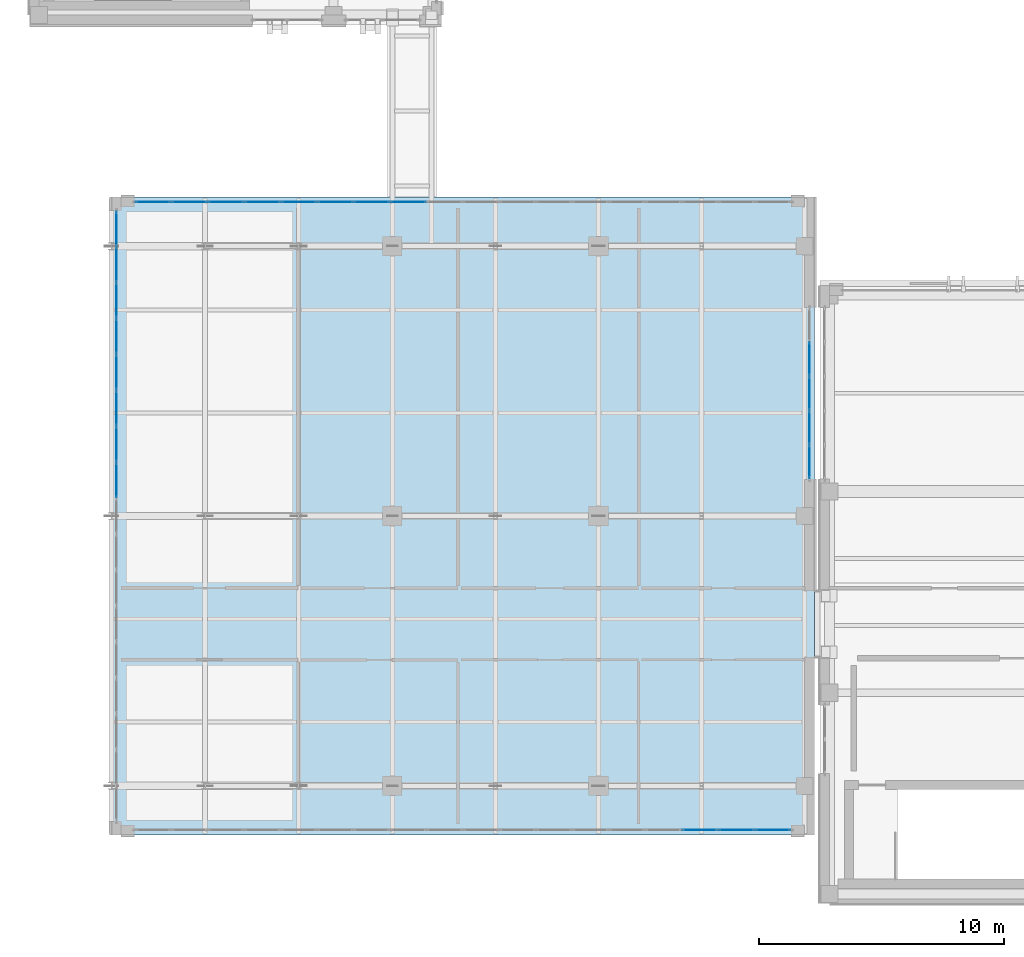
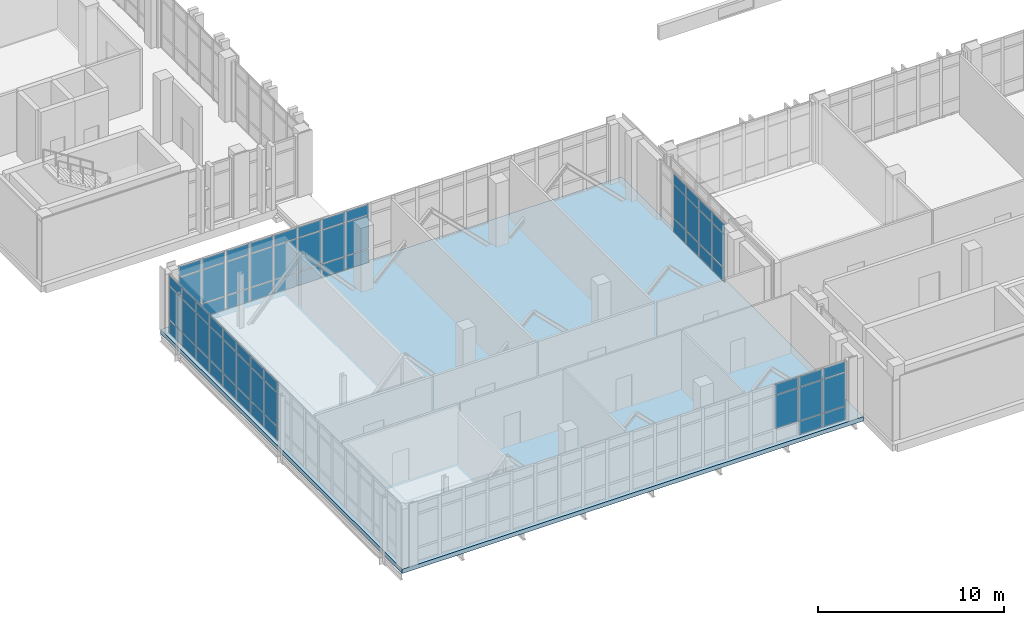
# One storey, part 111 of 158: 68 plates, 1 slab, 4 elements without a shape of their own.
"""IFC4 building model written with IfcOpenShell, lengths in metres."""

import ifcopenshell
import ifcopenshell.guid

model = None  # the IFC model being written
_history = None  # IfcOwnerHistory: only IFC2X3 demands one
_inside = {}  # id of a spatial element -> (the spatial element, [elements in it])
_under = {}  # id of a project, library or spatial element -> (it, [spatial elements below it])
_declared = {}  # id of a project -> (the project, [libraries it declares])
_typed = {}  # id of a type object -> (the type object, [elements of that type])
_made_of = {}  # id of a material, layer set ... -> (it, [elements and type objects made of it])


def new_model(schema):
    """Start an empty IFC model of exactly this schema.

    Asked for "IFC4X3", IfcOpenShell would pick the latest addendum, in which some entities
    have other attributes; the version numbers below select the first issue.
    IFC2X3 requires an IfcOwnerHistory on every rooted entity: one is made here for all.
    """
    global model, _history
    if schema == "IFC4X3":
        model = ifcopenshell.file(schema_version=(4, 3, 0, 0))
    else:
        model = ifcopenshell.file(schema=schema)
    _inside.clear()
    _under.clear()
    _declared.clear()
    _typed.clear()
    _made_of.clear()
    _history = None
    if model.schema == "IFC2X3":
        org = make("IfcOrganization", Name="unknown")
        user = make(
            "IfcPersonAndOrganization",
            ThePerson=make("IfcPerson", FamilyName="unknown"),
            TheOrganization=org,
        )
        app = make(
            "IfcApplication",
            ApplicationDeveloper=org,
            Version="unknown",
            ApplicationFullName="unknown",
            ApplicationIdentifier="unknown",
        )
        _history = make(
            "IfcOwnerHistory",
            OwningUser=user,
            OwningApplication=app,
            ChangeAction="ADDED",
            CreationDate=0,
        )
    return model


def make(cls, **values):
    """One entity of the class cls with the attributes given. An attribute that is None is left unset."""
    return model.create_entity(
        cls, **{name: value for name, value in values.items() if value is not None}
    )


def rooted(cls, **values):
    """An entity with a GlobalId (a new one), such as an element, a storey or a relation."""
    return make(cls, GlobalId=ifcopenshell.guid.new(), OwnerHistory=_history, **values)


def si_unit(unit_type, name, prefix=None):
    """IfcSIUnit, for example si_unit("LENGTHUNIT", "METRE", prefix="MILLI")."""
    return make("IfcSIUnit", UnitType=unit_type, Prefix=prefix, Name=name)


def assignment(units):
    """IfcUnitAssignment: the units of a project."""
    return None if units is None else make("IfcUnitAssignment", Units=units)


def point(xyz):
    """IfcCartesianPoint."""
    return None if xyz is None else make("IfcCartesianPoint", Coordinates=xyz)


def direction(xyz):
    """IfcDirection."""
    return None if xyz is None else make("IfcDirection", DirectionRatios=xyz)


def frame(location, z_axis=None, x_axis=None):
    """IfcAxis2Placement3D, a coordinate frame: its origin and axes. An axis left out is left unset."""
    return make(
        "IfcAxis2Placement3D",
        Location=point(location),
        Axis=direction(z_axis),
        RefDirection=direction(x_axis),
    )


def frame_2d(location, x_axis=None):
    """IfcAxis2Placement2D, a coordinate frame in the plane: its origin and x axis."""
    return make(
        "IfcAxis2Placement2D", Location=point(location), RefDirection=direction(x_axis)
    )


def origin():
    """The frame at (0, 0, 0) with its axes left unset."""
    return frame((0.0, 0.0, 0.0))


def origin_2d():
    """The frame at (0, 0) in the plane with its x axis left unset."""
    return frame_2d((0.0, 0.0))


def place(relative_to, where):
    """IfcLocalPlacement: puts the frame where relative to a parent placement (None: the world)."""
    return make(
        "IfcLocalPlacement", PlacementRelTo=relative_to, RelativePlacement=where
    )


def context(
    kind, dimensions, precision=None, world=None, true_north=None, identifier=None
):
    """IfcGeometricRepresentationContext, for example the 3D "Model" context."""
    return make(
        "IfcGeometricRepresentationContext",
        ContextIdentifier=identifier,
        ContextType=kind,
        CoordinateSpaceDimension=dimensions,
        Precision=precision,
        WorldCoordinateSystem=world,
        TrueNorth=true_north,
    )


def subcontext(parent, identifier, kind, view, scale=None):
    """IfcGeometricRepresentationSubContext, for example "Body" below "Model"."""
    return make(
        "IfcGeometricRepresentationSubContext",
        ContextIdentifier=identifier,
        ContextType=kind,
        ParentContext=parent,
        TargetScale=scale,
        TargetView=view,
    )


def project(units=None, contexts=None):
    """IfcProject with its units and contexts."""
    return rooted(
        "IfcProject",
        Name="project",
        RepresentationContexts=contexts,
        UnitsInContext=assignment(units),
    )


def spatial(cls, under=None, at=None, **own):
    """A site, building, storey or space (cls), placed at a placement, below another one or the project."""
    s = rooted(cls, ObjectPlacement=at, **own)
    if under is not None:
        _under.setdefault(under.id(), (under, []))[1].append(s)
    return s


def polyline(points):
    """IfcPolyline through the points."""
    return make("IfcPolyline", Points=[point(p) for p in points])


def profile(cls, at=None, kind="AREA", **sizes):
    """A parametric profile (cls). Its sizes go by their IFC names, for example OverallWidth=200.0."""
    return make(cls, ProfileType=kind, Position=at, **sizes)


def rectangle(**sizes):
    """IfcRectangleProfileDef."""
    return profile("IfcRectangleProfileDef", **sizes)


def outline(outer, holes=None, kind="AREA"):
    """IfcArbitraryClosedProfileDef: a profile drawn as a closed curve; with holes, ...WithVoids."""
    if holes is None:
        return make("IfcArbitraryClosedProfileDef", ProfileType=kind, OuterCurve=outer)
    return make(
        "IfcArbitraryProfileDefWithVoids",
        ProfileType=kind,
        OuterCurve=outer,
        InnerCurves=holes,
    )


def extrude(swept, where, along, depth):
    """IfcExtrudedAreaSolid: the profile swept, set in the frame where, extruded along a direction by depth."""
    return make(
        "IfcExtrudedAreaSolid",
        SweptArea=swept,
        Position=where,
        ExtrudedDirection=direction(along),
        Depth=depth,
    )


def shape(context_of_items, identifier, shape_type, items):
    """IfcShapeRepresentation: the items that make up one representation, for example the "Body"."""
    return make(
        "IfcShapeRepresentation",
        ContextOfItems=context_of_items,
        RepresentationIdentifier=identifier,
        RepresentationType=shape_type,
        Items=items,
    )


def material(Name=None, Category=None):
    """IfcMaterial."""
    return make("IfcMaterial", Name=Name, Category=Category)


def layer(
    of_material, thickness, ventilated=None, Name=None, Category=None, Priority=None
):
    """IfcMaterialLayer: one layer of a wall or slab, of a material (None: an air gap)."""
    return make(
        "IfcMaterialLayer",
        Material=of_material,
        LayerThickness=thickness,
        IsVentilated=ventilated,
        Name=Name,
        Category=Category,
        Priority=Priority,
    )


def layer_set(layers, Name=None):
    """IfcMaterialLayerSet."""
    return make("IfcMaterialLayerSet", MaterialLayers=layers, LayerSetName=Name)


def made_of(thing, what):
    """Note that an element or type object is made of a material, layer set ...; save() writes the relation."""
    if what is not None:
        _made_of.setdefault(what.id(), (what, []))[1].append(thing)
    return thing


def type_object(cls, material=None, **own):
    """A type object (cls), such as IfcWallType, which elements share."""
    return made_of(rooted(cls, **own), material)


def element(
    cls,
    number,
    at=None,
    inside=None,
    cuts=None,
    type_object=None,
    material=None,
    context=None,
    identifier="Body",
    shape_type=None,
    held_by="IfcProductDefinitionShape",
    body=None,
    shapes=None,
    **own,
):
    """One element of the class cls, such as IfcWall. Its Tag is "e" and its number.

    at: its placement. inside: the storey or other place that contains it. cuts: it is an
    opening in that element (IfcRelVoidsElement). A single representation is given by context,
    identifier, shape_type and body (its items); several are given by shapes. held_by: the class
    of the entity that holds the representations. save() writes the other relations.
    """
    e = rooted(cls, Tag="e%d" % number, ObjectPlacement=at, **own)
    if body is not None:
        shapes = [shape(context, identifier, shape_type, body)]
    if shapes is not None:
        e.Representation = make(held_by, Representations=shapes)
    if inside is not None:
        _inside.setdefault(inside.id(), (inside, []))[1].append(e)
    if cuts is not None:
        rooted(
            "IfcRelVoidsElement", RelatingBuildingElement=cuts, RelatedOpeningElement=e
        )
    if type_object is not None:
        _typed.setdefault(type_object.id(), (type_object, []))[1].append(e)
    return made_of(e, material)


def aggregate(whole, parts):
    """IfcRelAggregates: a whole, such as a stair, and the parts it consists of."""
    return rooted("IfcRelAggregates", RelatingObject=whole, RelatedObjects=parts)


def save(model, path):
    """Write the relations noted so far, then the file.

    IfcRelAggregates (storeys below a building ...), IfcRelContainedInSpatialStructure (elements
    in a storey), IfcRelDefinesByType, IfcRelAssociatesMaterial and IfcRelDeclares: one each for
    every whole, place, type object, material and project.
    """
    for whole, parts in _under.values():
        aggregate(whole, parts)
    for where, things in _inside.values():
        rooted(
            "IfcRelContainedInSpatialStructure",
            RelatedElements=things,
            RelatingStructure=where,
        )
    for kind, things in _typed.values():
        rooted("IfcRelDefinesByType", RelatedObjects=things, RelatingType=kind)
    for what, things in _made_of.values():
        rooted("IfcRelAssociatesMaterial", RelatedObjects=things, RelatingMaterial=what)
    for by, libraries in _declared.values():
        rooted("IfcRelDeclares", RelatingContext=by, RelatedDefinitions=libraries)
    model.write(path)


model = new_model("IFC4")

# Units and contexts
model_context = context("Model", 3, precision=1e-05, world=origin(), true_north=direction((0.0, 1.0)))
body_context = subcontext(model_context, "Body", "Model", "MODEL_VIEW")
ifc_project = project(units=[si_unit("LENGTHUNIT", "METRE"), si_unit("AREAUNIT", "SQUARE_METRE"), si_unit("VOLUMEUNIT", "CUBIC_METRE"), si_unit("PLANEANGLEUNIT", "RADIAN"), si_unit("MASSUNIT", "GRAM", prefix="KILO")], contexts=[model_context])

# Site, building, storey
site_placement = place(None, origin())
site = spatial("IfcSite", under=ifc_project, at=site_placement, CompositionType="ELEMENT")
building_placement = place(site_placement, origin())
building = spatial("IfcBuilding", under=site, at=building_placement, Name="Qalavern Law Courts", CompositionType="ELEMENT")
storey_placement = place(building_placement, frame((0.0, 0.0, 18.60009765625)))
storey = spatial("IfcBuildingStorey", under=building, at=storey_placement, Name="L04", CompositionType="ELEMENT", Elevation=18.60009765625)

# Curtain wall, plates
ifc_material_1 = material(Name="Anodised aluminium and insulated glazing", Category="aluminium")
ifc_layer_1 = layer(ifc_material_1, 0.199951171875)
ifc_layer_set_1 = layer_set([ifc_layer_1], Name="Anodised aluminium and insulated glazing")
curtain_wall_type = type_object("IfcCurtainWallType", Name="ENV-CW-FOYER", PredefinedType="USERDEFINED", material=ifc_layer_set_1)
curtain_wall_1_placement = place(storey_placement, origin())
curtain_wall_1 = element("IfcCurtainWall", 1, at=curtain_wall_1_placement, inside=storey, type_object=curtain_wall_type, Name="V1 unitised curtain wall L04 south 1", ObjectType="UNITISED CURTAIN WALL", PredefinedType="USERDEFINED")
ifc_material_2 = material(Name="Insulated low-E acoustic glazing", Category="glass")
ifc_layer_2 = layer(ifc_material_2, 0.02392578125)
ifc_layer_set_2 = layer_set([ifc_layer_2], Name="Insulated low-E acoustic glazing")
plate_type_1 = type_object("IfcPlateType", Name="ENV-CWP-24", PredefinedType="CURTAIN_PANEL", material=ifc_layer_set_2)
plate_1_placement = place(storey_placement, frame((29.33837890625, 8.199951171875, 0.97412109375), z_axis=(0.0, 0.0, 1.0), x_axis=(1.0, 0.0, 0.0)))
plate_1 = element("IfcPlate", 2, at=plate_1_placement, type_object=plate_type_1, Name="CW-01 panel 16.2", PredefinedType="CURTAIN_PANEL", context=body_context, shape_type="SweptSolid", body=[
    extrude(rectangle(XDim=1.438720703125, YDim=0.02392578125, at=origin_2d()), origin(), (0.0, 0.0, 1.0), 2.177001953125),
])
plate_2_placement = place(storey_placement, frame((29.33837890625, 8.199951171875, 3.19873046875), z_axis=(0.0, 0.0, 1.0), x_axis=(1.0, 0.0, 0.0)))
plate_2 = element("IfcPlate", 3, at=plate_2_placement, type_object=plate_type_1, Name="CW-01 panel 16.3", PredefinedType="CURTAIN_PANEL", context=body_context, shape_type="SweptSolid", body=[
    extrude(rectangle(XDim=1.438720703125, YDim=0.02392578125, at=origin_2d()), origin(), (0.0, 0.0, 1.0), 0.677978515625),
])
plate_3_placement = place(storey_placement, frame((30.824951171875, 8.199951171875, 0.0478515625), z_axis=(0.0, 0.0, 1.0), x_axis=(1.0, 0.0, 0.0)))
plate_3 = element("IfcPlate", 4, at=plate_3_placement, type_object=plate_type_1, Name="CW-01 panel 17.1", PredefinedType="CURTAIN_PANEL", context=body_context, shape_type="SweptSolid", body=[
    extrude(rectangle(XDim=1.438720703125, YDim=0.02392578125, at=origin_2d()), origin(), (0.0, 0.0, 1.0), 0.8779296875),
])
plate_4_placement = place(storey_placement, frame((30.824951171875, 8.199951171875, 0.97412109375), z_axis=(0.0, 0.0, 1.0), x_axis=(1.0, 0.0, 0.0)))
plate_4 = element("IfcPlate", 5, at=plate_4_placement, type_object=plate_type_1, Name="CW-01 panel 17.2", PredefinedType="CURTAIN_PANEL", context=body_context, shape_type="SweptSolid", body=[
    extrude(rectangle(XDim=1.438720703125, YDim=0.02392578125, at=origin_2d()), origin(), (0.0, 0.0, 1.0), 2.177001953125),
])
plate_5_placement = place(storey_placement, frame((30.824951171875, 8.199951171875, 3.19873046875), z_axis=(0.0, 0.0, 1.0), x_axis=(1.0, 0.0, 0.0)))
plate_5 = element("IfcPlate", 6, at=plate_5_placement, type_object=plate_type_1, Name="CW-01 panel 17.3", PredefinedType="CURTAIN_PANEL", context=body_context, shape_type="SweptSolid", body=[
    extrude(rectangle(XDim=1.438720703125, YDim=0.02392578125, at=origin_2d()), origin(), (0.0, 0.0, 1.0), 0.677978515625),
])
plate_6_placement = place(storey_placement, frame((32.299560546875, 8.199951171875, 0.0478515625), z_axis=(0.0, 0.0, 1.0), x_axis=(1.0, 0.0, 0.0)))
plate_6 = element("IfcPlate", 7, at=plate_6_placement, type_object=plate_type_1, Name="CW-01 panel 18.1", PredefinedType="CURTAIN_PANEL", context=body_context, shape_type="SweptSolid", body=[
    extrude(rectangle(XDim=1.41455078125, YDim=0.02392578125, at=origin_2d()), origin(), (0.0, 0.0, 1.0), 0.8779296875),
])
plate_7_placement = place(storey_placement, frame((32.299560546875, 8.199951171875, 0.97412109375), z_axis=(0.0, 0.0, 1.0), x_axis=(1.0, 0.0, 0.0)))
plate_7 = element("IfcPlate", 8, at=plate_7_placement, type_object=plate_type_1, Name="CW-01 panel 18.2", PredefinedType="CURTAIN_PANEL", context=body_context, shape_type="SweptSolid", body=[
    extrude(rectangle(XDim=1.41455078125, YDim=0.02392578125, at=origin_2d()), origin(), (0.0, 0.0, 1.0), 2.177001953125),
])
plate_8_placement = place(storey_placement, frame((32.299560546875, 8.199951171875, 3.19873046875), z_axis=(0.0, 0.0, 1.0), x_axis=(1.0, 0.0, 0.0)))
plate_8 = element("IfcPlate", 9, at=plate_8_placement, type_object=plate_type_1, Name="CW-01 panel 18.3", PredefinedType="CURTAIN_PANEL", context=body_context, shape_type="SweptSolid", body=[
    extrude(rectangle(XDim=1.41455078125, YDim=0.02392578125, at=origin_2d()), origin(), (0.0, 0.0, 1.0), 0.677978515625),
])
aggregate(curtain_wall_1, [plate_1, plate_2, plate_3, plate_4, plate_5, plate_6, plate_7, plate_8])

curtain_wall_2_placement = place(storey_placement, origin())
curtain_wall_2 = element("IfcCurtainWall", 10, at=curtain_wall_2_placement, inside=storey, type_object=curtain_wall_type, Name="V1 unitised curtain wall L04 north 1", ObjectType="UNITISED CURTAIN WALL", PredefinedType="USERDEFINED")
plate_9_placement = place(storey_placement, frame((17.445068359375, 33.800048828125, 0.0478515625), z_axis=(0.0, 0.0, 1.0), x_axis=(-1.0, 0.0, 0.0)))
plate_9 = element("IfcPlate", 11, at=plate_9_placement, type_object=plate_type_1, Name="CW-01 panel 11.1", PredefinedType="CURTAIN_PANEL", context=body_context, shape_type="SweptSolid", body=[
    extrude(rectangle(XDim=1.438720703125, YDim=0.02392578125, at=origin_2d()), origin(), (0.0, 0.0, 1.0), 0.8779296875),
])
plate_10_placement = place(storey_placement, frame((17.445068359375, 33.800048828125, 0.97412109375), z_axis=(0.0, 0.0, 1.0), x_axis=(-1.0, 0.0, 0.0)))
plate_10 = element("IfcPlate", 12, at=plate_10_placement, type_object=plate_type_1, Name="CW-01 panel 11.2", PredefinedType="CURTAIN_PANEL", context=body_context, shape_type="SweptSolid", body=[
    extrude(rectangle(XDim=1.438720703125, YDim=0.02392578125, at=origin_2d()), origin(), (0.0, 0.0, 1.0), 2.177001953125),
])
plate_11_placement = place(storey_placement, frame((17.445068359375, 33.800048828125, 3.19873046875), z_axis=(0.0, 0.0, 1.0), x_axis=(-1.0, 0.0, 0.0)))
plate_11 = element("IfcPlate", 13, at=plate_11_placement, type_object=plate_type_1, Name="CW-01 panel 11.3", PredefinedType="CURTAIN_PANEL", context=body_context, shape_type="SweptSolid", body=[
    extrude(rectangle(XDim=1.438720703125, YDim=0.02392578125, at=origin_2d()), origin(), (0.0, 0.0, 1.0), 0.677978515625),
])
plate_12_placement = place(storey_placement, frame((15.958251953125, 33.800048828125, 0.0478515625), z_axis=(0.0, 0.0, 1.0), x_axis=(-1.0, 0.0, 0.0)))
plate_12 = element("IfcPlate", 14, at=plate_12_placement, type_object=plate_type_1, Name="CW-01 panel 12.1", PredefinedType="CURTAIN_PANEL", context=body_context, shape_type="SweptSolid", body=[
    extrude(rectangle(XDim=1.438720703125, YDim=0.02392578125, at=origin_2d()), origin(), (0.0, 0.0, 1.0), 0.8779296875),
])
plate_13_placement = place(storey_placement, frame((15.958251953125, 33.800048828125, 0.97412109375), z_axis=(0.0, 0.0, 1.0), x_axis=(-1.0, 0.0, 0.0)))
plate_13 = element("IfcPlate", 15, at=plate_13_placement, type_object=plate_type_1, Name="CW-01 panel 12.2", PredefinedType="CURTAIN_PANEL", context=body_context, shape_type="SweptSolid", body=[
    extrude(rectangle(XDim=1.438720703125, YDim=0.02392578125, at=origin_2d()), origin(), (0.0, 0.0, 1.0), 2.177001953125),
])
plate_14_placement = place(storey_placement, frame((15.958251953125, 33.800048828125, 3.19873046875), z_axis=(0.0, 0.0, 1.0), x_axis=(-1.0, 0.0, 0.0)))
plate_14 = element("IfcPlate", 16, at=plate_14_placement, type_object=plate_type_1, Name="CW-01 panel 12.3", PredefinedType="CURTAIN_PANEL", context=body_context, shape_type="SweptSolid", body=[
    extrude(rectangle(XDim=1.438720703125, YDim=0.02392578125, at=origin_2d()), origin(), (0.0, 0.0, 1.0), 0.677978515625),
])
plate_15_placement = place(storey_placement, frame((14.4716796875, 33.800048828125, 0.0478515625), z_axis=(0.0, 0.0, 1.0), x_axis=(-1.0, 0.0, 0.0)))
plate_15 = element("IfcPlate", 17, at=plate_15_placement, type_object=plate_type_1, Name="CW-01 panel 13.1", PredefinedType="CURTAIN_PANEL", context=body_context, shape_type="SweptSolid", body=[
    extrude(rectangle(XDim=1.438720703125, YDim=0.02392578125, at=origin_2d()), origin(), (0.0, 0.0, 1.0), 0.8779296875),
])
plate_16_placement = place(storey_placement, frame((14.4716796875, 33.800048828125, 0.97412109375), z_axis=(0.0, 0.0, 1.0), x_axis=(-1.0, 0.0, 0.0)))
plate_16 = element("IfcPlate", 18, at=plate_16_placement, type_object=plate_type_1, Name="CW-01 panel 13.2", PredefinedType="CURTAIN_PANEL", context=body_context, shape_type="SweptSolid", body=[
    extrude(rectangle(XDim=1.438720703125, YDim=0.02392578125, at=origin_2d()), origin(), (0.0, 0.0, 1.0), 2.177001953125),
])
plate_17_placement = place(storey_placement, frame((14.4716796875, 33.800048828125, 3.19873046875), z_axis=(0.0, 0.0, 1.0), x_axis=(-1.0, 0.0, 0.0)))
plate_17 = element("IfcPlate", 19, at=plate_17_placement, type_object=plate_type_1, Name="CW-01 panel 13.3", PredefinedType="CURTAIN_PANEL", context=body_context, shape_type="SweptSolid", body=[
    extrude(rectangle(XDim=1.438720703125, YDim=0.02392578125, at=origin_2d()), origin(), (0.0, 0.0, 1.0), 0.677978515625),
])
plate_18_placement = place(storey_placement, frame((12.985107421875, 33.800048828125, 0.0478515625), z_axis=(0.0, 0.0, 1.0), x_axis=(-1.0, 0.0, 0.0)))
plate_18 = element("IfcPlate", 20, at=plate_18_placement, type_object=plate_type_1, Name="CW-01 panel 14.1", PredefinedType="CURTAIN_PANEL", context=body_context, shape_type="SweptSolid", body=[
    extrude(rectangle(XDim=1.438720703125, YDim=0.02392578125, at=origin_2d()), origin(), (0.0, 0.0, 1.0), 0.8779296875),
])
plate_19_placement = place(storey_placement, frame((12.985107421875, 33.800048828125, 0.97412109375), z_axis=(0.0, 0.0, 1.0), x_axis=(-1.0, 0.0, 0.0)))
plate_19 = element("IfcPlate", 21, at=plate_19_placement, type_object=plate_type_1, Name="CW-01 panel 14.2", PredefinedType="CURTAIN_PANEL", context=body_context, shape_type="SweptSolid", body=[
    extrude(rectangle(XDim=1.438720703125, YDim=0.02392578125, at=origin_2d()), origin(), (0.0, 0.0, 1.0), 2.177001953125),
])
plate_20_placement = place(storey_placement, frame((12.985107421875, 33.800048828125, 3.19873046875), z_axis=(0.0, 0.0, 1.0), x_axis=(-1.0, 0.0, 0.0)))
plate_20 = element("IfcPlate", 22, at=plate_20_placement, type_object=plate_type_1, Name="CW-01 panel 14.3", PredefinedType="CURTAIN_PANEL", context=body_context, shape_type="SweptSolid", body=[
    extrude(rectangle(XDim=1.438720703125, YDim=0.02392578125, at=origin_2d()), origin(), (0.0, 0.0, 1.0), 0.677978515625),
])
plate_21_placement = place(storey_placement, frame((11.498291015625, 33.800048828125, 0.0478515625), z_axis=(0.0, 0.0, 1.0), x_axis=(-1.0, 0.0, 0.0)))
plate_21 = element("IfcPlate", 23, at=plate_21_placement, type_object=plate_type_1, Name="CW-01 panel 15.1", PredefinedType="CURTAIN_PANEL", context=body_context, shape_type="SweptSolid", body=[
    extrude(rectangle(XDim=1.438720703125, YDim=0.02392578125, at=origin_2d()), origin(), (0.0, 0.0, 1.0), 0.8779296875),
])
plate_22_placement = place(storey_placement, frame((11.498291015625, 33.800048828125, 0.97412109375), z_axis=(0.0, 0.0, 1.0), x_axis=(-1.0, 0.0, 0.0)))
plate_22 = element("IfcPlate", 24, at=plate_22_placement, type_object=plate_type_1, Name="CW-01 panel 15.2", PredefinedType="CURTAIN_PANEL", context=body_context, shape_type="SweptSolid", body=[
    extrude(rectangle(XDim=1.438720703125, YDim=0.02392578125, at=origin_2d()), origin(), (0.0, 0.0, 1.0), 2.177001953125),
])
plate_23_placement = place(storey_placement, frame((11.498291015625, 33.800048828125, 3.19873046875), z_axis=(0.0, 0.0, 1.0), x_axis=(-1.0, 0.0, 0.0)))
plate_23 = element("IfcPlate", 25, at=plate_23_placement, type_object=plate_type_1, Name="CW-01 panel 15.3", PredefinedType="CURTAIN_PANEL", context=body_context, shape_type="SweptSolid", body=[
    extrude(rectangle(XDim=1.438720703125, YDim=0.02392578125, at=origin_2d()), origin(), (0.0, 0.0, 1.0), 0.677978515625),
])
plate_24_placement = place(storey_placement, frame((10.01171875, 33.800048828125, 0.0478515625), z_axis=(0.0, 0.0, 1.0), x_axis=(-1.0, 0.0, 0.0)))
plate_24 = element("IfcPlate", 26, at=plate_24_placement, type_object=plate_type_1, Name="CW-01 panel 16.1", PredefinedType="CURTAIN_PANEL", context=body_context, shape_type="SweptSolid", body=[
    extrude(rectangle(XDim=1.438720703125, YDim=0.02392578125, at=origin_2d()), origin(), (0.0, 0.0, 1.0), 0.8779296875),
])
plate_25_placement = place(storey_placement, frame((10.01171875, 33.800048828125, 0.97412109375), z_axis=(0.0, 0.0, 1.0), x_axis=(-1.0, 0.0, 0.0)))
plate_25 = element("IfcPlate", 27, at=plate_25_placement, type_object=plate_type_1, Name="CW-01 panel 16.2", PredefinedType="CURTAIN_PANEL", context=body_context, shape_type="SweptSolid", body=[
    extrude(rectangle(XDim=1.438720703125, YDim=0.02392578125, at=origin_2d()), origin(), (0.0, 0.0, 1.0), 2.177001953125),
])
plate_26_placement = place(storey_placement, frame((10.01171875, 33.800048828125, 3.19873046875), z_axis=(0.0, 0.0, 1.0), x_axis=(-1.0, 0.0, 0.0)))
plate_26 = element("IfcPlate", 28, at=plate_26_placement, type_object=plate_type_1, Name="CW-01 panel 16.3", PredefinedType="CURTAIN_PANEL", context=body_context, shape_type="SweptSolid", body=[
    extrude(rectangle(XDim=1.438720703125, YDim=0.02392578125, at=origin_2d()), origin(), (0.0, 0.0, 1.0), 0.677978515625),
])
plate_27_placement = place(storey_placement, frame((8.52490234375, 33.800048828125, 0.0478515625), z_axis=(0.0, 0.0, 1.0), x_axis=(-1.0, 0.0, 0.0)))
plate_27 = element("IfcPlate", 29, at=plate_27_placement, type_object=plate_type_1, Name="CW-01 panel 17.1", PredefinedType="CURTAIN_PANEL", context=body_context, shape_type="SweptSolid", body=[
    extrude(rectangle(XDim=1.438720703125, YDim=0.02392578125, at=origin_2d()), origin(), (0.0, 0.0, 1.0), 0.8779296875),
])
plate_28_placement = place(storey_placement, frame((8.52490234375, 33.800048828125, 0.97412109375), z_axis=(0.0, 0.0, 1.0), x_axis=(-1.0, 0.0, 0.0)))
plate_28 = element("IfcPlate", 30, at=plate_28_placement, type_object=plate_type_1, Name="CW-01 panel 17.2", PredefinedType="CURTAIN_PANEL", context=body_context, shape_type="SweptSolid", body=[
    extrude(rectangle(XDim=1.438720703125, YDim=0.02392578125, at=origin_2d()), origin(), (0.0, 0.0, 1.0), 2.177001953125),
])
plate_29_placement = place(storey_placement, frame((8.52490234375, 33.800048828125, 3.19873046875), z_axis=(0.0, 0.0, 1.0), x_axis=(-1.0, 0.0, 0.0)))
plate_29 = element("IfcPlate", 31, at=plate_29_placement, type_object=plate_type_1, Name="CW-01 panel 17.3", PredefinedType="CURTAIN_PANEL", context=body_context, shape_type="SweptSolid", body=[
    extrude(rectangle(XDim=1.438720703125, YDim=0.02392578125, at=origin_2d()), origin(), (0.0, 0.0, 1.0), 0.677978515625),
])
plate_30_placement = place(storey_placement, frame((7.05029296875, 33.800048828125, 0.0478515625), z_axis=(0.0, 0.0, 1.0), x_axis=(-1.0, 0.0, 0.0)))
plate_30 = element("IfcPlate", 32, at=plate_30_placement, type_object=plate_type_1, Name="CW-01 panel 18.1", PredefinedType="CURTAIN_PANEL", context=body_context, shape_type="SweptSolid", body=[
    extrude(rectangle(XDim=1.41455078125, YDim=0.02392578125, at=origin_2d()), origin(), (0.0, 0.0, 1.0), 0.8779296875),
])
plate_31_placement = place(storey_placement, frame((7.05029296875, 33.800048828125, 0.97412109375), z_axis=(0.0, 0.0, 1.0), x_axis=(-1.0, 0.0, 0.0)))
plate_31 = element("IfcPlate", 33, at=plate_31_placement, type_object=plate_type_1, Name="CW-01 panel 18.2", PredefinedType="CURTAIN_PANEL", context=body_context, shape_type="SweptSolid", body=[
    extrude(rectangle(XDim=1.41455078125, YDim=0.02392578125, at=origin_2d()), origin(), (0.0, 0.0, 1.0), 2.177001953125),
])
plate_32_placement = place(storey_placement, frame((7.05029296875, 33.800048828125, 3.19873046875), z_axis=(0.0, 0.0, 1.0), x_axis=(-1.0, 0.0, 0.0)))
plate_32 = element("IfcPlate", 34, at=plate_32_placement, type_object=plate_type_1, Name="CW-01 panel 18.3", PredefinedType="CURTAIN_PANEL", context=body_context, shape_type="SweptSolid", body=[
    extrude(rectangle(XDim=1.41455078125, YDim=0.02392578125, at=origin_2d()), origin(), (0.0, 0.0, 1.0), 0.677978515625),
])
aggregate(curtain_wall_2, [plate_9, plate_10, plate_11, plate_12, plate_13, plate_14, plate_15, plate_16, plate_17, plate_18, plate_19, plate_20, plate_21, plate_22, plate_23, plate_24, plate_25, plate_26, plate_27, plate_28, plate_29, plate_30, plate_31, plate_32])

curtain_wall_3_placement = place(storey_placement, origin())
curtain_wall_3 = element("IfcCurtainWall", 35, at=curtain_wall_3_placement, inside=storey, type_object=curtain_wall_type, Name="V1 unitised curtain wall L04 west 1", ObjectType="UNITISED CURTAIN WALL", PredefinedType="USERDEFINED")
plate_33_placement = place(storey_placement, frame((5.550048828125, 32.70556640625, 0.0478515625), z_axis=(0.0, 0.0, 1.0), x_axis=(0.0, -1.0, 0.0)))
plate_33 = element("IfcPlate", 36, at=plate_33_placement, type_object=plate_type_1, Name="CW-01 panel 1.1", PredefinedType="CURTAIN_PANEL", context=body_context, shape_type="SweptSolid", body=[
    extrude(rectangle(XDim=1.392822265625, YDim=0.02392578125, at=origin_2d()), origin(), (0.0, 0.0, 1.0), 0.8779296875),
])
plate_34_placement = place(storey_placement, frame((5.550048828125, 32.70556640625, 0.97412109375), z_axis=(0.0, 0.0, 1.0), x_axis=(0.0, -1.0, 0.0)))
plate_34 = element("IfcPlate", 37, at=plate_34_placement, type_object=plate_type_1, Name="CW-01 panel 1.2", PredefinedType="CURTAIN_PANEL", context=body_context, shape_type="SweptSolid", body=[
    extrude(rectangle(XDim=1.392822265625, YDim=0.02392578125, at=origin_2d()), origin(), (0.0, 0.0, 1.0), 2.177001953125),
])
plate_35_placement = place(storey_placement, frame((5.550048828125, 32.70556640625, 3.19873046875), z_axis=(0.0, 0.0, 1.0), x_axis=(0.0, -1.0, 0.0)))
plate_35 = element("IfcPlate", 38, at=plate_35_placement, type_object=plate_type_1, Name="CW-01 panel 1.3", PredefinedType="CURTAIN_PANEL", context=body_context, shape_type="SweptSolid", body=[
    extrude(rectangle(XDim=1.392822265625, YDim=0.02392578125, at=origin_2d()), origin(), (0.0, 0.0, 1.0), 0.677978515625),
])
plate_36_placement = place(storey_placement, frame((5.550048828125, 31.2529296875, 0.0478515625), z_axis=(0.0, 0.0, 1.0), x_axis=(0.0, -1.0, 0.0)))
plate_36 = element("IfcPlate", 39, at=plate_36_placement, type_object=plate_type_1, Name="CW-01 panel 2.1", PredefinedType="CURTAIN_PANEL", context=body_context, shape_type="SweptSolid", body=[
    extrude(rectangle(XDim=1.416748046875, YDim=0.02392578125, at=origin_2d()), origin(), (0.0, 0.0, 1.0), 0.8779296875),
])
plate_37_placement = place(storey_placement, frame((5.550048828125, 31.2529296875, 0.97412109375), z_axis=(0.0, 0.0, 1.0), x_axis=(0.0, -1.0, 0.0)))
plate_37 = element("IfcPlate", 40, at=plate_37_placement, type_object=plate_type_1, Name="CW-01 panel 2.2", PredefinedType="CURTAIN_PANEL", context=body_context, shape_type="SweptSolid", body=[
    extrude(rectangle(XDim=1.416748046875, YDim=0.02392578125, at=origin_2d()), origin(), (0.0, 0.0, 1.0), 2.177001953125),
])
plate_38_placement = place(storey_placement, frame((5.550048828125, 31.2529296875, 3.19873046875), z_axis=(0.0, 0.0, 1.0), x_axis=(0.0, -1.0, 0.0)))
plate_38 = element("IfcPlate", 41, at=plate_38_placement, type_object=plate_type_1, Name="CW-01 panel 2.3", PredefinedType="CURTAIN_PANEL", context=body_context, shape_type="SweptSolid", body=[
    extrude(rectangle(XDim=1.416748046875, YDim=0.02392578125, at=origin_2d()), origin(), (0.0, 0.0, 1.0), 0.677978515625),
])
plate_39_placement = place(storey_placement, frame((5.550048828125, 29.788330078125, 0.0478515625), z_axis=(0.0, 0.0, 1.0), x_axis=(0.0, -1.0, 0.0)))
plate_39 = element("IfcPlate", 42, at=plate_39_placement, type_object=plate_type_1, Name="CW-01 panel 3.1", PredefinedType="CURTAIN_PANEL", context=body_context, shape_type="SweptSolid", body=[
    extrude(rectangle(XDim=1.416748046875, YDim=0.02392578125, at=origin_2d()), origin(), (0.0, 0.0, 1.0), 0.8779296875),
])
plate_40_placement = place(storey_placement, frame((5.550048828125, 29.788330078125, 0.97412109375), z_axis=(0.0, 0.0, 1.0), x_axis=(0.0, -1.0, 0.0)))
plate_40 = element("IfcPlate", 43, at=plate_40_placement, type_object=plate_type_1, Name="CW-01 panel 3.2", PredefinedType="CURTAIN_PANEL", context=body_context, shape_type="SweptSolid", body=[
    extrude(rectangle(XDim=1.416748046875, YDim=0.02392578125, at=origin_2d()), origin(), (0.0, 0.0, 1.0), 2.177001953125),
])
plate_41_placement = place(storey_placement, frame((5.550048828125, 29.788330078125, 3.19873046875), z_axis=(0.0, 0.0, 1.0), x_axis=(0.0, -1.0, 0.0)))
plate_41 = element("IfcPlate", 44, at=plate_41_placement, type_object=plate_type_1, Name="CW-01 panel 3.3", PredefinedType="CURTAIN_PANEL", context=body_context, shape_type="SweptSolid", body=[
    extrude(rectangle(XDim=1.416748046875, YDim=0.02392578125, at=origin_2d()), origin(), (0.0, 0.0, 1.0), 0.677978515625),
])
plate_42_placement = place(storey_placement, frame((5.550048828125, 28.323486328125, 0.0478515625), z_axis=(0.0, 0.0, 1.0), x_axis=(0.0, -1.0, 0.0)))
plate_42 = element("IfcPlate", 45, at=plate_42_placement, type_object=plate_type_1, Name="CW-01 panel 4.1", PredefinedType="CURTAIN_PANEL", context=body_context, shape_type="SweptSolid", body=[
    extrude(rectangle(XDim=1.416748046875, YDim=0.02392578125, at=origin_2d()), origin(), (0.0, 0.0, 1.0), 0.8779296875),
])
plate_43_placement = place(storey_placement, frame((5.550048828125, 28.323486328125, 0.97412109375), z_axis=(0.0, 0.0, 1.0), x_axis=(0.0, -1.0, 0.0)))
plate_43 = element("IfcPlate", 46, at=plate_43_placement, type_object=plate_type_1, Name="CW-01 panel 4.2", PredefinedType="CURTAIN_PANEL", context=body_context, shape_type="SweptSolid", body=[
    extrude(rectangle(XDim=1.416748046875, YDim=0.02392578125, at=origin_2d()), origin(), (0.0, 0.0, 1.0), 2.177001953125),
])
plate_44_placement = place(storey_placement, frame((5.550048828125, 28.323486328125, 3.19873046875), z_axis=(0.0, 0.0, 1.0), x_axis=(0.0, -1.0, 0.0)))
plate_44 = element("IfcPlate", 47, at=plate_44_placement, type_object=plate_type_1, Name="CW-01 panel 4.3", PredefinedType="CURTAIN_PANEL", context=body_context, shape_type="SweptSolid", body=[
    extrude(rectangle(XDim=1.416748046875, YDim=0.02392578125, at=origin_2d()), origin(), (0.0, 0.0, 1.0), 0.677978515625),
])
plate_45_placement = place(storey_placement, frame((5.550048828125, 26.85888671875, 0.0478515625), z_axis=(0.0, 0.0, 1.0), x_axis=(0.0, -1.0, 0.0)))
plate_45 = element("IfcPlate", 48, at=plate_45_placement, type_object=plate_type_1, Name="CW-01 panel 5.1", PredefinedType="CURTAIN_PANEL", context=body_context, shape_type="SweptSolid", body=[
    extrude(rectangle(XDim=1.416748046875, YDim=0.02392578125, at=origin_2d()), origin(), (0.0, 0.0, 1.0), 0.8779296875),
])
plate_46_placement = place(storey_placement, frame((5.550048828125, 26.85888671875, 0.97412109375), z_axis=(0.0, 0.0, 1.0), x_axis=(0.0, -1.0, 0.0)))
plate_46 = element("IfcPlate", 49, at=plate_46_placement, type_object=plate_type_1, Name="CW-01 panel 5.2", PredefinedType="CURTAIN_PANEL", context=body_context, shape_type="SweptSolid", body=[
    extrude(rectangle(XDim=1.416748046875, YDim=0.02392578125, at=origin_2d()), origin(), (0.0, 0.0, 1.0), 2.177001953125),
])
plate_47_placement = place(storey_placement, frame((5.550048828125, 26.85888671875, 3.19873046875), z_axis=(0.0, 0.0, 1.0), x_axis=(0.0, -1.0, 0.0)))
plate_47 = element("IfcPlate", 50, at=plate_47_placement, type_object=plate_type_1, Name="CW-01 panel 5.3", PredefinedType="CURTAIN_PANEL", context=body_context, shape_type="SweptSolid", body=[
    extrude(rectangle(XDim=1.416748046875, YDim=0.02392578125, at=origin_2d()), origin(), (0.0, 0.0, 1.0), 0.677978515625),
])
plate_48_placement = place(storey_placement, frame((5.550048828125, 25.39404296875, 0.0478515625), z_axis=(0.0, 0.0, 1.0), x_axis=(0.0, -1.0, 0.0)))
plate_48 = element("IfcPlate", 51, at=plate_48_placement, type_object=plate_type_1, Name="CW-01 panel 6.1", PredefinedType="CURTAIN_PANEL", context=body_context, shape_type="SweptSolid", body=[
    extrude(rectangle(XDim=1.416748046875, YDim=0.02392578125, at=origin_2d()), origin(), (0.0, 0.0, 1.0), 0.8779296875),
])
plate_49_placement = place(storey_placement, frame((5.550048828125, 25.39404296875, 0.97412109375), z_axis=(0.0, 0.0, 1.0), x_axis=(0.0, -1.0, 0.0)))
plate_49 = element("IfcPlate", 52, at=plate_49_placement, type_object=plate_type_1, Name="CW-01 panel 6.2", PredefinedType="CURTAIN_PANEL", context=body_context, shape_type="SweptSolid", body=[
    extrude(rectangle(XDim=1.416748046875, YDim=0.02392578125, at=origin_2d()), origin(), (0.0, 0.0, 1.0), 2.177001953125),
])
plate_50_placement = place(storey_placement, frame((5.550048828125, 25.39404296875, 3.19873046875), z_axis=(0.0, 0.0, 1.0), x_axis=(0.0, -1.0, 0.0)))
plate_50 = element("IfcPlate", 53, at=plate_50_placement, type_object=plate_type_1, Name="CW-01 panel 6.3", PredefinedType="CURTAIN_PANEL", context=body_context, shape_type="SweptSolid", body=[
    extrude(rectangle(XDim=1.416748046875, YDim=0.02392578125, at=origin_2d()), origin(), (0.0, 0.0, 1.0), 0.677978515625),
])
plate_51_placement = place(storey_placement, frame((5.550048828125, 23.929443359375, 0.0478515625), z_axis=(0.0, 0.0, 1.0), x_axis=(0.0, -1.0, 0.0)))
plate_51 = element("IfcPlate", 54, at=plate_51_placement, type_object=plate_type_1, Name="CW-01 panel 7.1", PredefinedType="CURTAIN_PANEL", context=body_context, shape_type="SweptSolid", body=[
    extrude(rectangle(XDim=1.416748046875, YDim=0.02392578125, at=origin_2d()), origin(), (0.0, 0.0, 1.0), 0.8779296875),
])
plate_52_placement = place(storey_placement, frame((5.550048828125, 23.929443359375, 0.97412109375), z_axis=(0.0, 0.0, 1.0), x_axis=(0.0, -1.0, 0.0)))
plate_52 = element("IfcPlate", 55, at=plate_52_placement, type_object=plate_type_1, Name="CW-01 panel 7.2", PredefinedType="CURTAIN_PANEL", context=body_context, shape_type="SweptSolid", body=[
    extrude(rectangle(XDim=1.416748046875, YDim=0.02392578125, at=origin_2d()), origin(), (0.0, 0.0, 1.0), 2.177001953125),
])
plate_53_placement = place(storey_placement, frame((5.550048828125, 23.929443359375, 3.19873046875), z_axis=(0.0, 0.0, 1.0), x_axis=(0.0, -1.0, 0.0)))
plate_53 = element("IfcPlate", 56, at=plate_53_placement, type_object=plate_type_1, Name="CW-01 panel 7.3", PredefinedType="CURTAIN_PANEL", context=body_context, shape_type="SweptSolid", body=[
    extrude(rectangle(XDim=1.416748046875, YDim=0.02392578125, at=origin_2d()), origin(), (0.0, 0.0, 1.0), 0.677978515625),
])
plate_54_placement = place(storey_placement, frame((5.550048828125, 22.464599609375, 0.0478515625), z_axis=(0.0, 0.0, 1.0), x_axis=(0.0, -1.0, 0.0)))
plate_54 = element("IfcPlate", 57, at=plate_54_placement, type_object=plate_type_1, Name="CW-01 panel 8.1", PredefinedType="CURTAIN_PANEL", context=body_context, shape_type="SweptSolid", body=[
    extrude(rectangle(XDim=1.416748046875, YDim=0.02392578125, at=origin_2d()), origin(), (0.0, 0.0, 1.0), 0.8779296875),
])
plate_55_placement = place(storey_placement, frame((5.550048828125, 22.464599609375, 0.97412109375), z_axis=(0.0, 0.0, 1.0), x_axis=(0.0, -1.0, 0.0)))
plate_55 = element("IfcPlate", 58, at=plate_55_placement, type_object=plate_type_1, Name="CW-01 panel 8.2", PredefinedType="CURTAIN_PANEL", context=body_context, shape_type="SweptSolid", body=[
    extrude(rectangle(XDim=1.416748046875, YDim=0.02392578125, at=origin_2d()), origin(), (0.0, 0.0, 1.0), 2.177001953125),
])
plate_56_placement = place(storey_placement, frame((5.550048828125, 22.464599609375, 3.19873046875), z_axis=(0.0, 0.0, 1.0), x_axis=(0.0, -1.0, 0.0)))
plate_56 = element("IfcPlate", 59, at=plate_56_placement, type_object=plate_type_1, Name="CW-01 panel 8.3", PredefinedType="CURTAIN_PANEL", context=body_context, shape_type="SweptSolid", body=[
    extrude(rectangle(XDim=1.416748046875, YDim=0.02392578125, at=origin_2d()), origin(), (0.0, 0.0, 1.0), 0.677978515625),
])
aggregate(curtain_wall_3, [plate_33, plate_34, plate_35, plate_36, plate_37, plate_38, plate_39, plate_40, plate_41, plate_42, plate_43, plate_44, plate_45, plate_46, plate_47, plate_48, plate_49, plate_50, plate_51, plate_52, plate_53, plate_54, plate_55, plate_56])

curtain_wall_4_placement = place(storey_placement, origin())
curtain_wall_4 = element("IfcCurtainWall", 60, at=curtain_wall_4_placement, inside=storey, type_object=curtain_wall_type, Name="V1 unitised curtain wall L04 east 1", ObjectType="UNITISED CURTAIN WALL", PredefinedType="USERDEFINED")
ifc_layer_3 = layer(ifc_material_2, 0.028076171875)
ifc_layer_set_3 = layer_set([ifc_layer_3], Name="Insulated low-E acoustic glazing")
plate_type_2 = type_object("IfcPlateType", Name="ENV-CWP-28", PredefinedType="CURTAIN_PANEL", material=ifc_layer_set_3)
plate_57_placement = place(storey_placement, frame((33.800048828125, 23.2119140625, 0.0478515625), z_axis=(0.0, 0.0, 1.0), x_axis=(0.0, 1.0, 0.0)))
plate_57 = element("IfcPlate", 61, at=plate_57_placement, type_object=plate_type_2, Name="CW-01 panel 1.1", PredefinedType="CURTAIN_PANEL", context=body_context, shape_type="SweptSolid", body=[
    extrude(rectangle(XDim=1.327880859375, YDim=0.028076171875, at=origin_2d()), origin(), (0.0, 0.0, 1.0), 0.8779296875),
])
plate_58_placement = place(storey_placement, frame((33.800048828125, 23.2119140625, 0.97412109375), z_axis=(0.0, 0.0, 1.0), x_axis=(0.0, 1.0, 0.0)))
plate_58 = element("IfcPlate", 62, at=plate_58_placement, type_object=plate_type_2, Name="CW-01 panel 1.2", PredefinedType="CURTAIN_PANEL", context=body_context, shape_type="SweptSolid", body=[
    extrude(rectangle(XDim=1.327880859375, YDim=0.028076171875, at=origin_2d()), origin(), (0.0, 0.0, 1.0), 2.177001953125),
])
plate_59_placement = place(storey_placement, frame((33.800048828125, 23.2119140625, 3.19873046875), z_axis=(0.0, 0.0, 1.0), x_axis=(0.0, 1.0, 0.0)))
plate_59 = element("IfcPlate", 63, at=plate_59_placement, type_object=plate_type_2, Name="CW-01 panel 1.3", PredefinedType="CURTAIN_PANEL", context=body_context, shape_type="SweptSolid", body=[
    extrude(rectangle(XDim=1.327880859375, YDim=0.028076171875, at=origin_2d()), origin(), (0.0, 0.0, 1.0), 0.677978515625),
])
plate_60_placement = place(storey_placement, frame((33.800048828125, 24.60009765625, 0.0478515625), z_axis=(0.0, 0.0, 1.0), x_axis=(0.0, 1.0, 0.0)))
plate_60 = element("IfcPlate", 64, at=plate_60_placement, type_object=plate_type_2, Name="CW-01 panel 2.1", PredefinedType="CURTAIN_PANEL", context=body_context, shape_type="SweptSolid", body=[
    extrude(rectangle(XDim=1.35205078125, YDim=0.028076171875, at=origin_2d()), origin(), (0.0, 0.0, 1.0), 0.8779296875),
])
plate_61_placement = place(storey_placement, frame((33.800048828125, 24.60009765625, 0.97412109375), z_axis=(0.0, 0.0, 1.0), x_axis=(0.0, 1.0, 0.0)))
plate_61 = element("IfcPlate", 65, at=plate_61_placement, type_object=plate_type_2, Name="CW-01 panel 2.2", PredefinedType="CURTAIN_PANEL", context=body_context, shape_type="SweptSolid", body=[
    extrude(rectangle(XDim=1.35205078125, YDim=0.028076171875, at=origin_2d()), origin(), (0.0, 0.0, 1.0), 2.177001953125),
])
plate_62_placement = place(storey_placement, frame((33.800048828125, 24.60009765625, 3.19873046875), z_axis=(0.0, 0.0, 1.0), x_axis=(0.0, 1.0, 0.0)))
plate_62 = element("IfcPlate", 66, at=plate_62_placement, type_object=plate_type_2, Name="CW-01 panel 2.3", PredefinedType="CURTAIN_PANEL", context=body_context, shape_type="SweptSolid", body=[
    extrude(rectangle(XDim=1.35205078125, YDim=0.028076171875, at=origin_2d()), origin(), (0.0, 0.0, 1.0), 0.677978515625),
])
plate_63_placement = place(storey_placement, frame((33.800048828125, 26.0, 0.0478515625), z_axis=(0.0, 0.0, 1.0), x_axis=(0.0, 1.0, 0.0)))
plate_63 = element("IfcPlate", 67, at=plate_63_placement, type_object=plate_type_2, Name="CW-01 panel 3.1", PredefinedType="CURTAIN_PANEL", context=body_context, shape_type="SweptSolid", body=[
    extrude(rectangle(XDim=1.35205078125, YDim=0.028076171875, at=origin_2d()), origin(), (0.0, 0.0, 1.0), 0.8779296875),
])
plate_64_placement = place(storey_placement, frame((33.800048828125, 26.0, 0.97412109375), z_axis=(0.0, 0.0, 1.0), x_axis=(0.0, 1.0, 0.0)))
plate_64 = element("IfcPlate", 68, at=plate_64_placement, type_object=plate_type_2, Name="CW-01 panel 3.2", PredefinedType="CURTAIN_PANEL", context=body_context, shape_type="SweptSolid", body=[
    extrude(rectangle(XDim=1.35205078125, YDim=0.028076171875, at=origin_2d()), origin(), (0.0, 0.0, 1.0), 2.177001953125),
])
plate_65_placement = place(storey_placement, frame((33.800048828125, 26.0, 3.19873046875), z_axis=(0.0, 0.0, 1.0), x_axis=(0.0, 1.0, 0.0)))
plate_65 = element("IfcPlate", 69, at=plate_65_placement, type_object=plate_type_2, Name="CW-01 panel 3.3", PredefinedType="CURTAIN_PANEL", context=body_context, shape_type="SweptSolid", body=[
    extrude(rectangle(XDim=1.35205078125, YDim=0.028076171875, at=origin_2d()), origin(), (0.0, 0.0, 1.0), 0.677978515625),
])
plate_66_placement = place(storey_placement, frame((33.800048828125, 27.39990234375, 0.0478515625), z_axis=(0.0, 0.0, 1.0), x_axis=(0.0, 1.0, 0.0)))
plate_66 = element("IfcPlate", 70, at=plate_66_placement, type_object=plate_type_2, Name="CW-01 panel 4.1", PredefinedType="CURTAIN_PANEL", context=body_context, shape_type="SweptSolid", body=[
    extrude(rectangle(XDim=1.35205078125, YDim=0.028076171875, at=origin_2d()), origin(), (0.0, 0.0, 1.0), 0.8779296875),
])
plate_67_placement = place(storey_placement, frame((33.800048828125, 27.39990234375, 0.97412109375), z_axis=(0.0, 0.0, 1.0), x_axis=(0.0, 1.0, 0.0)))
plate_67 = element("IfcPlate", 71, at=plate_67_placement, type_object=plate_type_2, Name="CW-01 panel 4.2", PredefinedType="CURTAIN_PANEL", context=body_context, shape_type="SweptSolid", body=[
    extrude(rectangle(XDim=1.35205078125, YDim=0.028076171875, at=origin_2d()), origin(), (0.0, 0.0, 1.0), 2.177001953125),
])
plate_68_placement = place(storey_placement, frame((33.800048828125, 27.39990234375, 3.19873046875), z_axis=(0.0, 0.0, 1.0), x_axis=(0.0, 1.0, 0.0)))
plate_68 = element("IfcPlate", 72, at=plate_68_placement, type_object=plate_type_2, Name="CW-01 panel 4.3", PredefinedType="CURTAIN_PANEL", context=body_context, shape_type="SweptSolid", body=[
    extrude(rectangle(XDim=1.35205078125, YDim=0.028076171875, at=origin_2d()), origin(), (0.0, 0.0, 1.0), 0.677978515625),
])
aggregate(curtain_wall_4, [plate_57, plate_58, plate_59, plate_60, plate_61, plate_62, plate_63, plate_64, plate_65, plate_66, plate_67, plate_68])

# Slab
ifc_material_3 = material(Name="Concrete C35/45", Category="concrete")
ifc_layer_4 = layer(ifc_material_3, 0.280029296875)
ifc_layer_set_4 = layer_set([ifc_layer_4], Name="Concrete C35/45")
slab_type = type_object("IfcSlabType", Name="STR-SLB-L04-280", PredefinedType="FLOOR", material=ifc_layer_set_4)
slab_placement = place(storey_placement, frame((0.0, 0.0, -0.280029296875)))
element("IfcSlab", 73, at=slab_placement, inside=storey, type_object=slab_type, Name="V1 floor slab L04", PredefinedType="FLOOR", context=body_context, shape_type="SweptSolid", body=[
    extrude(outline(polyline([(5.35009765625, 8.0), (34.0, 8.0), (34.0, 34.0), (5.35009765625, 34.0), (5.35009765625, 8.0)])), origin(), (0.0, 0.0, 1.0), 0.280029296875),
])

save(model, "model.ifc")
